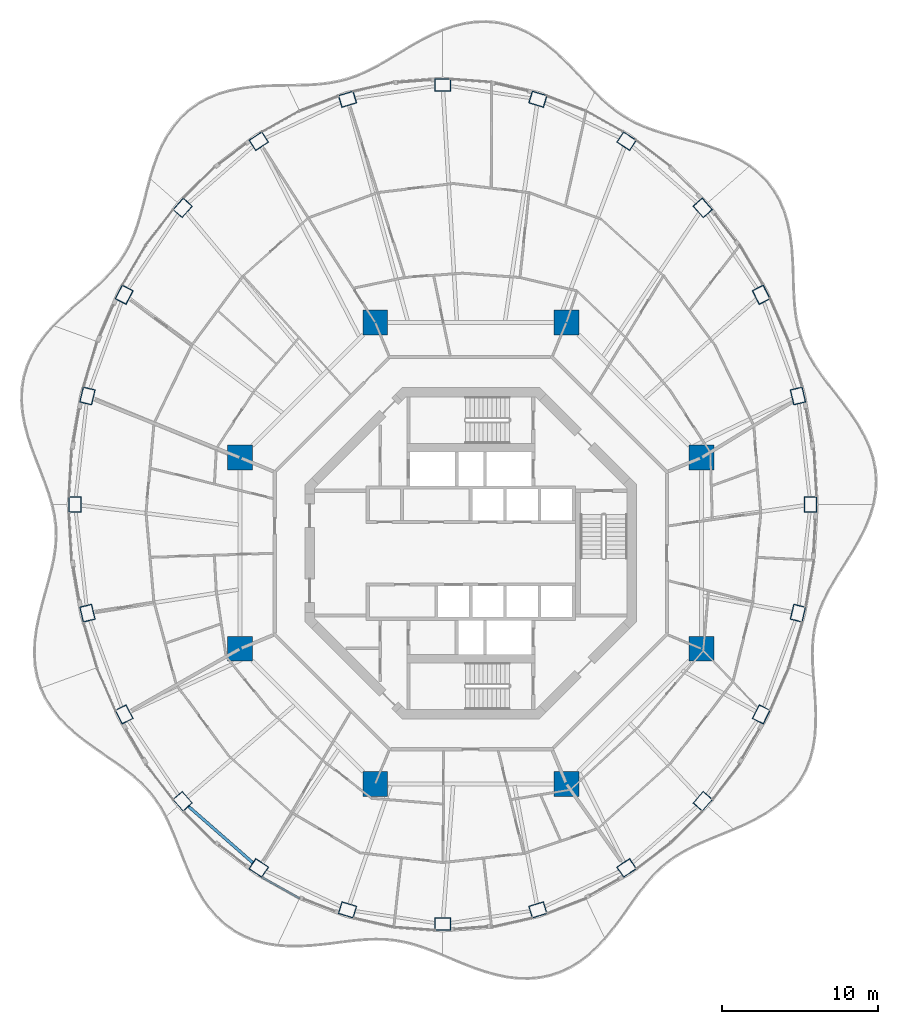
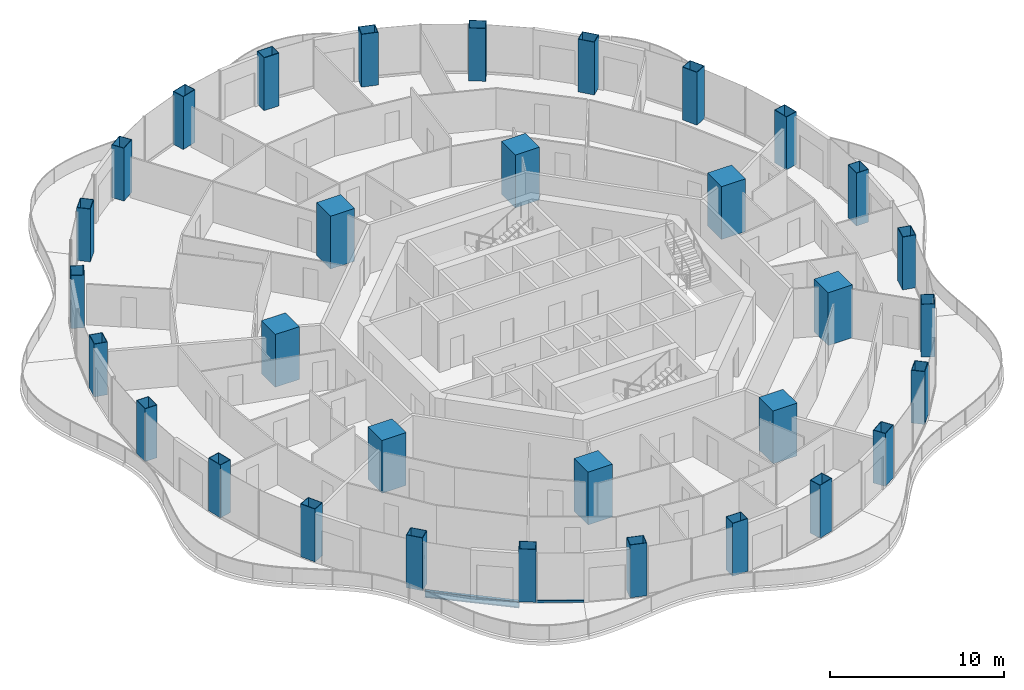
# One storey, part 1 of 18: 32 columns, 1 beam, 1 member, 1 element without a shape of its own.
"""IFC4 building model written with IfcOpenShell, lengths in metres."""

from ifc_helpers import new_model, si_unit, direction, frame, origin, origin_2d, place, context, subcontext, project, spatial, rectangle, hollow_rectangle, i_section, extrude, material, layer, layer_set, material_profile, profile_set, type_object, element, aggregate, save


model = new_model("IFC4")

# Units and contexts
model_context = context("Model", 3, precision=1e-05, world=origin(), true_north=direction((0.0, 1.0)))
body_context = subcontext(model_context, "Body", "Model", "MODEL_VIEW")
ifc_project = project(units=[si_unit("LENGTHUNIT", "METRE"), si_unit("AREAUNIT", "SQUARE_METRE"), si_unit("VOLUMEUNIT", "CUBIC_METRE"), si_unit("PLANEANGLEUNIT", "RADIAN"), si_unit("MASSUNIT", "GRAM", prefix="KILO")], contexts=[model_context])

# Site, building, storey
site_placement = place(None, origin())
site = spatial("IfcSite", under=ifc_project, at=site_placement, CompositionType="ELEMENT")
building_placement = place(site_placement, origin())
building = spatial("IfcBuilding", under=site, at=building_placement, Name="Nagisa Residences", CompositionType="ELEMENT")
storey_placement = place(building_placement, frame((0.0, 0.0, 215.89990234375)))
storey = spatial("IfcBuildingStorey", under=building, at=storey_placement, Name="L54", CompositionType="ELEMENT", Elevation=215.89990234375)

# Columns
ifc_material_1 = material(Name="Concrete C80", Category="concrete")
ifc_material_profile_1 = material_profile(ifc_material_1, rectangle(XDim=1.60009765625, YDim=1.60009765625, at=origin_2d()), Name="C80 1600x1600")
ifc_profile_set_1 = profile_set([ifc_material_profile_1], Name="Concrete C80")
column_type_1 = type_object("IfcColumnType", Name="Inner megacolumn C80 1600x1600", PredefinedType="COLUMN", material=ifc_profile_set_1)
for number, where, z_axis, x_axis, name in (
    (1, (14.781982421875, 6.123046875, 0.0), (0.0, 0.0, 1.0), (1.0, 0.0, 0.0), "col:L54:i1"),
    (2, (6.123046875, 14.781982421875, 0.0), (0.0, 0.0, 1.0), (1.0, 0.0, 0.0), "col:L54:i2"),
    (3, (-6.123046875, 14.781982421875, 0.0), (0.0, 0.0, 1.0), (1.0, 0.0, 0.0), "col:L54:i3"),
    (4, (-14.781982421875, 6.123046875, 0.0), (0.0, 0.0, 1.0), (1.0, 0.0, 0.0), "col:L54:i4"),
    (5, (-14.781982421875, -6.123046875, 0.0), (0.0, 0.0, 1.0), (1.0, 0.0, 0.0), "col:L54:i5"),
    (6, (-6.123046875, -14.781982421875, 0.0), (0.0, 0.0, 1.0), (1.0, 0.0, 0.0), "col:L54:i6"),
    (7, (6.123046875, -14.781982421875, 0.0), (0.0, 0.0, 1.0), (1.0, 0.0, 0.0), "col:L54:i7"),
    (8, (14.781982421875, -6.123046875, 0.0), (0.0, 0.0, 1.0), (1.0, 0.0, 0.0), "col:L54:i8"),
):
    element("IfcColumn", number, at=place(storey_placement, frame(where, z_axis=z_axis, x_axis=x_axis)), inside=storey, type_object=column_type_1, Name=name, PredefinedType="COLUMN", context=body_context, shape_type="SweptSolid", body=[
        extrude(rectangle(XDim=1.60009765625, YDim=1.60009765625, at=origin_2d()), origin(), (0.0, 0.0, 1.0), 3.7001953125),
    ])
ifc_material_2 = material(Name="Steel ASTM A572 Gr 50", Category="steel")
ifc_material_profile_2 = material_profile(ifc_material_2, hollow_rectangle(XDim=1.0, YDim=0.800048828125, WallThickness=0.031982421875, at=origin_2d()), Name="BX 1000x800x32")
ifc_profile_set_2 = profile_set([ifc_material_profile_2], Name="Steel ASTM A572 Gr 50")
column_type_2 = type_object("IfcColumnType", Name="Perimeter column BX 1000x800x32", PredefinedType="COLUMN", material=ifc_profile_set_2)
for number, where, z_axis, x_axis, name in (
    (9, (21.77001953125, 3.11767578125, 0.0), (0.0, 0.0, 1.0), (0.0, 1.0, 0.0), "col:L54:p00"),
    (10, (20.966796875, 10.077392578125, 0.0), (0.0, 0.0, 1.0), (-0.229202013103, 0.973378876486, 0.0), "col:L54:p01"),
    (11, (18.6123046875, 16.562744140625, 0.0), (0.0, 0.0, 1.0), (-0.452462697578, 0.891783329795, 0.0), "col:L54:p02"),
    (12, (14.866455078125, 22.1318359375, 0.0), (0.0, 0.0, 1.0), (-0.660114607735, 0.751164898445, 0.0), "col:L54:p03"),
    (13, (9.985107421875, 26.405029296875, 0.0), (0.0, 0.0, 1.0), (-0.835766105673, 0.54908561865, 0.0), "col:L54:p04"),
    (14, (4.30029296875, 29.091552734375, 0.0), (0.0, 0.0, 1.0), (-0.956524583408, 0.291651712384, 0.0), "col:L54:p05"),
    (15, (-1.800048828125, 30.0078125, 0.0), (0.0, 0.0, 1.0), (-1.0, 0.0, 0.0), "col:L54:p06"),
    (16, (-7.900390625, 29.091552734375, 0.0), (0.0, 0.0, 1.0), (-0.956524583408, -0.291651712384, 0.0), "col:L54:p07"),
    (17, (-13.5849609375, 26.405029296875, 0.0), (0.0, 0.0, 1.0), (-0.835766105673, -0.54908561865, 0.0), "col:L54:p08"),
    (18, (-18.466552734375, 22.1318359375, 0.0), (0.0, 0.0, 1.0), (-0.660114607735, -0.751164898445, 0.0), "col:L54:p09"),
    (19, (-22.212158203125, 16.562744140625, 0.0), (0.0, 0.0, 1.0), (-0.452462697578, -0.891783329795, 0.0), "col:L54:p10"),
    (20, (-24.56689453125, 10.077392578125, 0.0), (0.0, 0.0, 1.0), (-0.229202013103, -0.973378876486, 0.0), "col:L54:p11"),
    (21, (-25.3701171875, 3.11767578125, 0.0), (0.0, 0.0, 1.0), (0.0, -1.0, 0.0), "col:L54:p12"),
    (22, (-24.56689453125, -3.842041015625, 0.0), (0.0, 0.0, 1.0), (0.229202013103, -0.973378876486, 0.0), "col:L54:p13"),
    (23, (-22.212158203125, -10.327392578125, 0.0), (0.0, 0.0, 1.0), (0.452462697578, -0.891783329795, 0.0), "col:L54:p14"),
    (24, (-18.466552734375, -15.896484375, 0.0), (0.0, 0.0, 1.0), (0.660114607735, -0.751164898445, 0.0), "col:L54:p15"),
    (25, (-13.5849609375, -20.169677734375, 0.0), (0.0, 0.0, 1.0), (0.835766105673, -0.54908561865, 0.0), "col:L54:p16"),
    (26, (-7.900390625, -22.85595703125, 0.0), (0.0, 0.0, 1.0), (0.956524583408, -0.291651712384, 0.0), "col:L54:p17"),
    (27, (-1.800048828125, -23.772216796875, 0.0), (0.0, 0.0, 1.0), (1.0, 0.0, 0.0), "col:L54:p18"),
    (28, (4.30029296875, -22.85595703125, 0.0), (0.0, 0.0, 1.0), (0.956524583408, 0.291651712384, 0.0), "col:L54:p19"),
    (29, (9.985107421875, -20.169677734375, 0.0), (0.0, 0.0, 1.0), (0.835766105673, 0.54908561865, 0.0), "col:L54:p20"),
    (30, (14.866455078125, -15.896484375, 0.0), (0.0, 0.0, 1.0), (0.660114607735, 0.751164898445, 0.0), "col:L54:p21"),
    (31, (18.6123046875, -10.327392578125, 0.0), (0.0, 0.0, 1.0), (0.452462697578, 0.891783329795, 0.0), "col:L54:p22"),
    (32, (20.966796875, -3.842041015625, 0.0), (0.0, 0.0, 1.0), (0.229202013103, 0.973378876486, 0.0), "col:L54:p23"),
):
    element("IfcColumn", number, at=place(storey_placement, frame(where, z_axis=z_axis, x_axis=x_axis)), inside=storey, type_object=column_type_2, Name=name, PredefinedType="COLUMN", context=body_context, shape_type="SweptSolid", body=[
        extrude(hollow_rectangle(XDim=1.0, YDim=0.800048828125, WallThickness=0.031982421875, at=origin_2d()), origin(), (0.0, 0.0, 1.0), 3.7001953125),
    ])

# Curtain wall, member
ifc_material_3 = material(Name="Concrete-coloured aluminium curtain wall system", Category="concrete")
ifc_layer = layer(ifc_material_3, 0.159912109375)
ifc_layer_set = layer_set([ifc_layer], Name="CW1 CURTAIN WALL")
curtain_wall_type = type_object("IfcCurtainWallType", Name="CW1 CURTAIN WALL", PredefinedType="NOTDEFINED", material=ifc_layer_set)
curtain_wall_placement = place(storey_placement, origin())
curtain_wall = element("IfcCurtainWall", 33, at=curtain_wall_placement, inside=storey, type_object=curtain_wall_type, Name="cw:CW1:L54:32", PredefinedType="NOTDEFINED")
ifc_material_4 = material(Name="Concrete-coloured aluminium", Category="concrete")
ifc_material_profile_3 = material_profile(ifc_material_4, rectangle(XDim=0.1201171875, YDim=0.14990234375, at=origin_2d()), Name="CW1 TRANSOM 120x150")
ifc_profile_set_3 = profile_set([ifc_material_profile_3], Name="Concrete-coloured aluminium")
member_type = type_object("IfcMemberType", Name="CW1 TRANSOM 120x150", PredefinedType="USERDEFINED", material=ifc_profile_set_3)
member_placement = place(storey_placement, frame((-13.35986328125, -20.777587890625, 0.0751953125), z_axis=(0.872063230277, -0.489393218586, 0.0), x_axis=(0.489393218586, 0.872063230277, 0.0)))
member = element("IfcMember", 34, at=member_placement, type_object=member_type, Name="CW1 transom", ObjectType="TRANSOM", PredefinedType="USERDEFINED", context=body_context, shape_type="SweptSolid", body=[
    extrude(rectangle(XDim=0.1201171875, YDim=0.14990234375, at=origin_2d()), origin(), (0.0, 0.0, 1.0), 2.73828125),
])
aggregate(curtain_wall, [member])

# Beam
ifc_material_5 = material(Name="Steel ASTM A572 Gr 50", Category="steel")
ifc_material_profile_4 = material_profile(ifc_material_5, i_section(OverallWidth=0.18994140625, OverallDepth=0.45703125, WebThickness=0.009033203125, FlangeThickness=0.014404296875, at=origin_2d()), Name="W460x74")
ifc_profile_set_4 = profile_set([ifc_material_profile_4], Name="Steel ASTM A572 Gr 50")
beam_type = type_object("IfcBeamType", Name="Perimeter ring beam W460x74", PredefinedType="BEAM", material=ifc_profile_set_4)
beam_placement = place(storey_placement, frame((-18.10205078125, -16.21533203125, -0.48828125), z_axis=(0.75242320672, -0.65867998147, 0.0), x_axis=(0.65867998147, 0.75242320672, 0.0)))
element("IfcBeam", 35, at=beam_placement, inside=storey, type_object=beam_type, Name="beam:L54:pb16", PredefinedType="BEAM", context=body_context, shape_type="SweptSolid", body=[
    extrude(i_section(OverallWidth=0.18994140625, OverallDepth=0.45703125, WebThickness=0.009033203125, FlangeThickness=0.014404296875, at=origin_2d()), origin(), (0.0, 0.0, 1.0), 5.5185546875),
])

save(model, "model.ifc")
